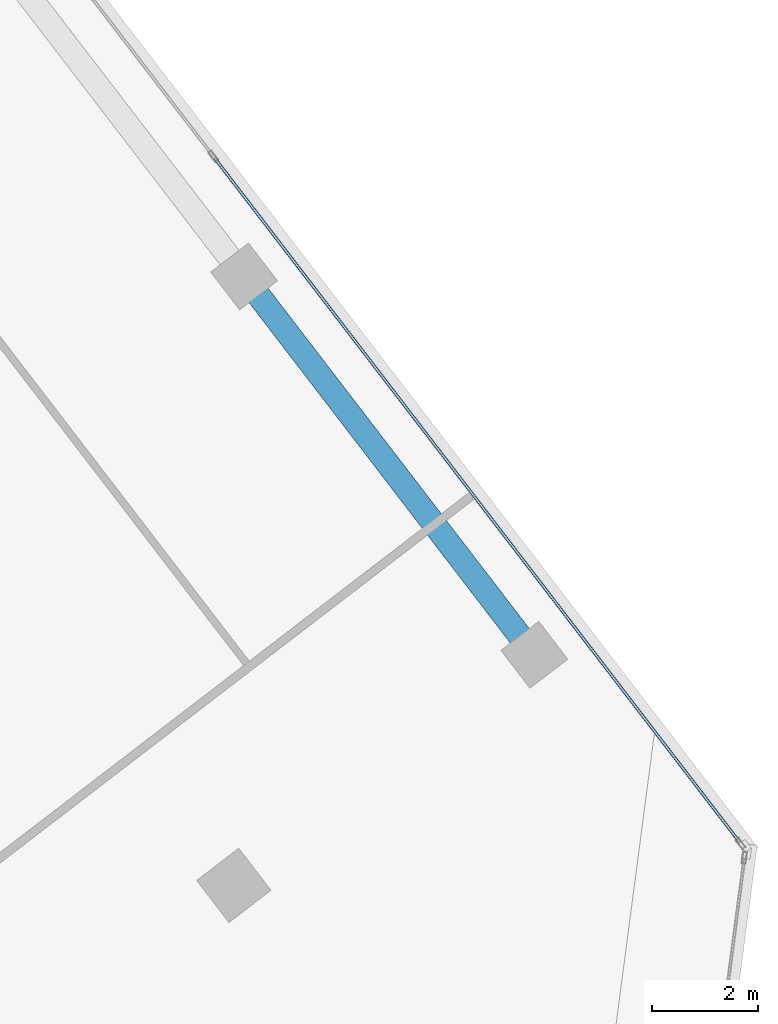
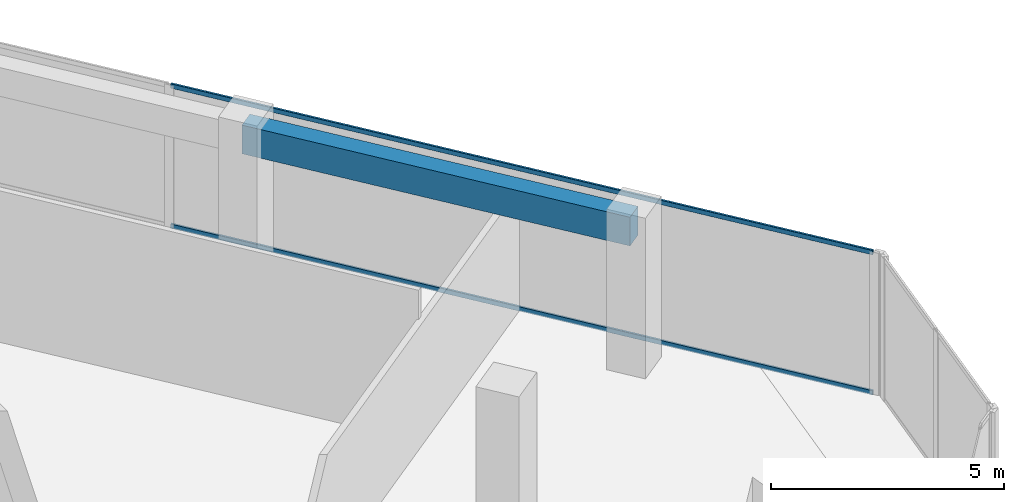
# One storey, part 7 of 17: 2 members, 1 beam, 1 element without a shape of its own.
"""IFC4 building model written with IfcOpenShell, lengths in metres."""

from ifc_helpers import new_model, si_unit, direction, frame, origin, origin_2d, place, context, subcontext, project, spatial, rectangle, hollow_rectangle, extrude, source, transform, mapped, material, material_profile, profile_set, type_object, element, aggregate, save


model = new_model("IFC4")

# Units and contexts
model_context = context("Model", 3, precision=1e-05, world=origin(), true_north=direction((0.0, 1.0)))
body_context = subcontext(model_context, "Body", "Model", "MODEL_VIEW")
ifc_project = project(units=[si_unit("LENGTHUNIT", "METRE"), si_unit("AREAUNIT", "SQUARE_METRE"), si_unit("VOLUMEUNIT", "CUBIC_METRE"), si_unit("PLANEANGLEUNIT", "RADIAN"), si_unit("MASSUNIT", "GRAM", prefix="KILO")], contexts=[model_context])

# Site, building, storey
site_placement = place(None, origin())
site = spatial("IfcSite", under=ifc_project, at=site_placement, CompositionType="ELEMENT")
building_placement = place(site_placement, origin())
building = spatial("IfcBuilding", under=site, at=building_placement, Name="Torre Montelarca", CompositionType="ELEMENT")
storey_placement = place(building_placement, frame((0.0, 0.0, 279.39990234375)))
storey = spatial("IfcBuildingStorey", under=building, at=storey_placement, Name="L63", CompositionType="ELEMENT", Elevation=279.39990234375)

# Beam
ifc_material_1 = material(Name="Concrete C55/67", Category="concrete")
ifc_material_profile_1 = material_profile(ifc_material_1, rectangle(XDim=0.449951171875, YDim=0.75, at=origin_2d()), Name="RCB450X750", Category="concrete")
ifc_profile_set_1 = profile_set([ifc_material_profile_1], Name="Concrete C55/67")
beam_type = type_object("IfcBeamType", Name="BM-SP-RC750-EXT", PredefinedType="SPANDREL", material=ifc_profile_set_1)
shared_shape_1 = source(origin(), body_context, "Body", "SweptSolid", [
    extrude(rectangle(XDim=0.449951171875, YDim=0.75, at=origin_2d()), origin(), (0.0, 0.0, 1.0), 9.0),
])
beam_placement = place(storey_placement, frame((36.867431640625, 36.859375, 3.585205078125), z_axis=(0.608744143222, -0.793366603842, 0.0), x_axis=(0.793366603842, 0.608744143222, 0.0)))
element("IfcBeam", 1, at=beam_placement, inside=storey, type_object=beam_type, Name="L63 Grid Girder X 27.0-36.0 at Y=47.1", PredefinedType="SPANDREL", context=body_context, shape_type="MappedRepresentation", body=[
    mapped(shared_shape_1, transform((0.0, 0.0, 0.0), scale=1.0)),
])

# Curtain wall, members
ifc_material_2 = material(Name="Insulated low-E laminated glass", Category="glass")
curtain_wall_type = type_object("IfcCurtainWallType", Name="CW-SYS-Z3", PredefinedType="USERDEFINED", material=ifc_material_2)
curtain_wall_placement = place(storey_placement, origin())
curtain_wall = element("IfcCurtainWall", 2, at=curtain_wall_placement, inside=storey, type_object=curtain_wall_type, Name="L63 Curtain Wall Run CW-T3-L63-E08-B1", ObjectType="UNITISED GLAZING", PredefinedType="USERDEFINED")
ifc_material_3 = material(Name="Anodised aluminium AA 6063-T6", Category="aluminium")
ifc_material_profile_2 = material_profile(ifc_material_3, hollow_rectangle(XDim=0.054931640625, YDim=0.1201171875, WallThickness=0.00341796875, InnerFilletRadius=0.00341796875, OuterFilletRadius=0.007080078125, at=origin_2d()), Name="ALU55X120X3.5", Category="aluminium")
ifc_profile_set_2 = profile_set([ifc_material_profile_2], Name="Anodised aluminium AA 6063-T6")
member_type = type_object("IfcMemberType", Name="CWT-ALU120", PredefinedType="USERDEFINED", material=ifc_profile_set_2)
shared_shape_2 = source(origin(), body_context, "Body", "SweptSolid", [
    extrude(hollow_rectangle(XDim=0.054931640625, YDim=0.1201171875, WallThickness=0.00341796875, InnerFilletRadius=0.00341796875, OuterFilletRadius=0.007080078125, at=origin_2d()), origin(), (0.0, 0.0, 1.0), 16.271728515625),
])
member_1_placement = place(storey_placement, frame((46.217041015625, 26.18603515625, 0.027587890625), z_axis=(-0.608769155588, 0.793347411418, 0.0), x_axis=(-0.793347411418, -0.608769155588, 0.0)))
member_1 = element("IfcMember", 3, at=member_1_placement, type_object=member_type, Name="CW transom 1.1", ObjectType="TRANSOM", PredefinedType="USERDEFINED", context=body_context, shape_type="MappedRepresentation", body=[
    mapped(shared_shape_2, transform((0.0, 0.0, 0.0), scale=1.0)),
])
member_2_placement = place(storey_placement, frame((46.217041015625, 26.18603515625, 3.692626953125), z_axis=(-0.608769155588, 0.793347411418, 0.0), x_axis=(-0.793347411418, -0.608769155588, 0.0)))
member_2 = element("IfcMember", 4, at=member_2_placement, type_object=member_type, Name="CW transom 1.2", ObjectType="TRANSOM", PredefinedType="USERDEFINED", context=body_context, shape_type="MappedRepresentation", body=[
    mapped(shared_shape_2, transform((0.0, 0.0, 0.0), scale=1.0)),
])
aggregate(curtain_wall, [member_1, member_2])

save(model, "model.ifc")
